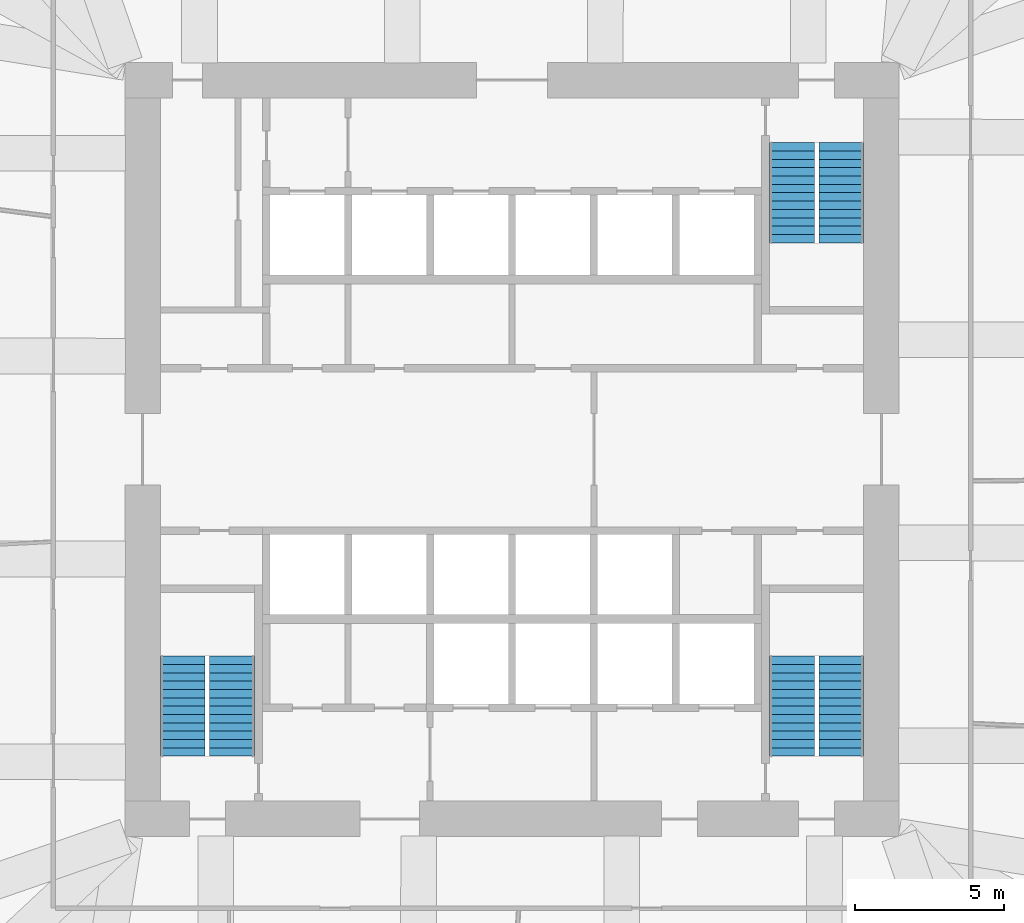
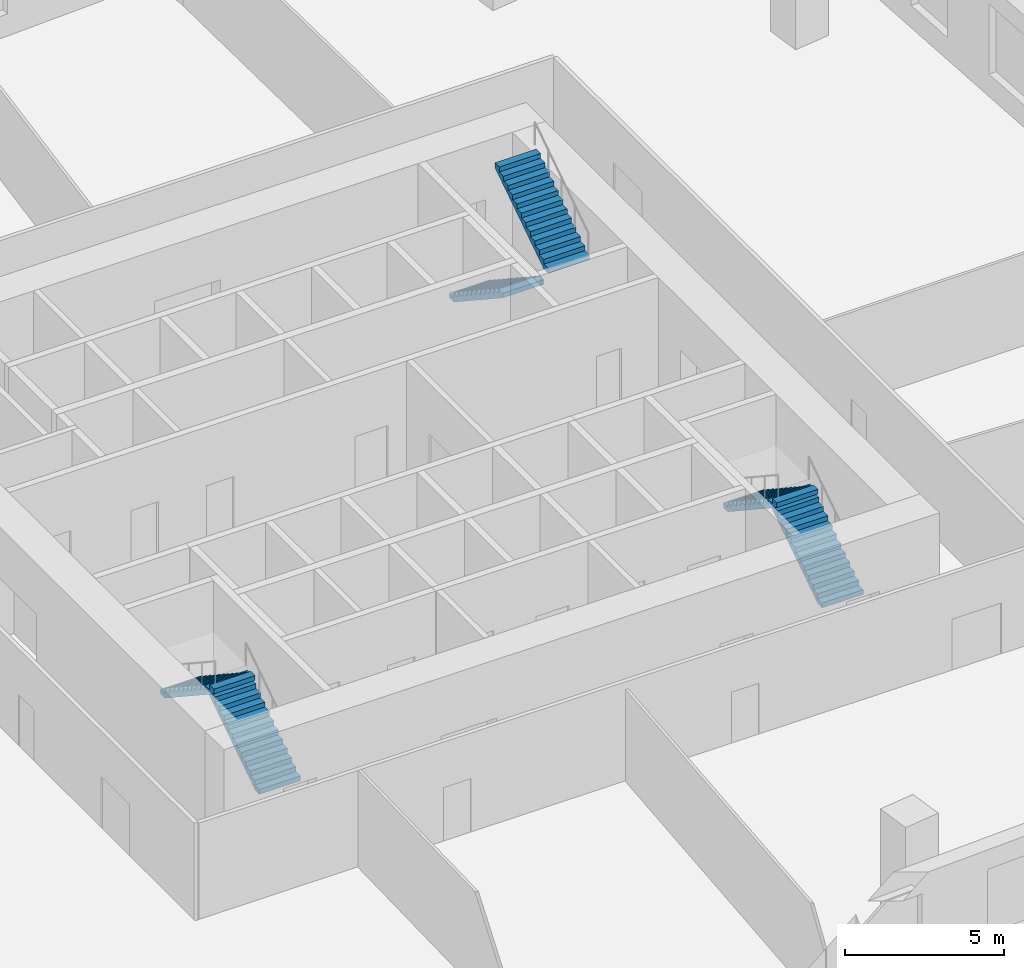
# One storey, part 8 of 10: 6 stair flights, 3 elements without a shape of their own.
"""IFC4 building model written with IfcOpenShell, lengths in metres."""

from ifc_helpers import new_model, si_unit, direction, frame, origin, place, context, subcontext, project, spatial, polyline, outline, extrude, material, type_object, element, aggregate, save


model = new_model("IFC4")

# Units and contexts
model_context = context("Model", 3, precision=1e-05, world=origin(), true_north=direction((0.0, 1.0)))
body_context = subcontext(model_context, "Body", "Model", "MODEL_VIEW")
ifc_project = project(units=[si_unit("LENGTHUNIT", "METRE"), si_unit("AREAUNIT", "SQUARE_METRE"), si_unit("VOLUMEUNIT", "CUBIC_METRE"), si_unit("PLANEANGLEUNIT", "RADIAN"), si_unit("MASSUNIT", "GRAM", prefix="KILO")], contexts=[model_context])

# Site, building, storey
site_placement = place(None, origin())
site = spatial("IfcSite", under=ifc_project, at=site_placement, CompositionType="ELEMENT")
building_placement = place(site_placement, origin())
building = spatial("IfcBuilding", under=site, at=building_placement, Name="Dilmun Exchange Tower", CompositionType="ELEMENT")
storey_placement = place(building_placement, frame((0.0, 0.0, 32.10009765625)))
storey = spatial("IfcBuildingStorey", under=building, at=storey_placement, Name="L07", CompositionType="ELEMENT", Elevation=32.10009765625)

# Stair, stair flights
ifc_material = material(Name="Concrete C40/50", Category="concrete")
stair_type = type_object("IfcStairType", Name="Exit stair 1500 half-turn", PredefinedType="HALF_TURN_STAIR", material=ifc_material)
stair_1_placement = place(storey_placement, origin())
stair_1 = element("IfcStair", 1, at=stair_1_placement, inside=storey, type_object=stair_type, Name="L07 Protected exit stair ST1", PredefinedType="HALF_TURN_STAIR")
stair_flight_type = type_object("IfcStairFlightType", Name="Exit stair flight 1500", PredefinedType="STRAIGHT", material=ifc_material)
stair_flight_1_placement = place(storey_placement, frame((9.39990234375, 10.300048828125, 0.0), z_axis=(0.0, 0.0, 1.0), x_axis=(0.0, -1.0, 0.0)))
stair_flight_1 = element("IfcStairFlight", 2, at=stair_flight_1_placement, type_object=stair_flight_type, Name="ST1 flight 1", NumberOfRisers=13, NumberOfTreads=12, PredefinedType="STRAIGHT", RiserHeight=0.184615385, TreadLength=0.28, context=body_context, shape_type="SweptSolid", body=[
    extrude(outline(polyline([(0.0, 0.0), (0.0, 0.1845703125), (0.280029296875, 0.1845703125), (0.280029296875, 0.369140625), (0.56005859375, 0.369140625), (0.56005859375, 0.553955078125), (0.840087890625, 0.553955078125), (0.840087890625, 0.738525390625), (1.1201171875, 0.738525390625), (1.1201171875, 0.923095703125), (1.39990234375, 0.923095703125), (1.39990234375, 1.107666015625), (1.679931640625, 1.107666015625), (1.679931640625, 1.292236328125), (1.9599609375, 1.292236328125), (1.9599609375, 1.476806640625), (2.239990234375, 1.476806640625), (2.239990234375, 1.66162109375), (2.52001953125, 1.66162109375), (2.52001953125, 1.84619140625), (2.800048828125, 1.84619140625), (2.800048828125, 2.03076171875), (3.080078125, 2.03076171875), (3.080078125, 2.21533203125), (3.360107421875, 2.21533203125), (3.360107421875, 2.39990234375), (3.360107421875, 2.035888671875), (0.272216796875, 0.0), (0.0, 0.0)])), frame((0.0, 0.75, 0.0), z_axis=(0.0, -1.0, 0.0), x_axis=(1.0, 0.0, 0.0)), (0.0, 0.0, 1.0), 1.5),
])
stair_flight_2_placement = place(storey_placement, frame((11.050048828125, 6.93994140625, 2.39990234375), z_axis=(0.0, 0.0, 1.0), x_axis=(0.0, 1.0, 0.0)))
stair_flight_2 = element("IfcStairFlight", 3, at=stair_flight_2_placement, type_object=stair_flight_type, Name="ST1 flight 2", NumberOfRisers=13, NumberOfTreads=12, PredefinedType="STRAIGHT", RiserHeight=0.184615385, TreadLength=0.28, context=body_context, shape_type="SweptSolid", body=[
    extrude(outline(polyline([(0.0, 0.0), (0.0, 0.1845703125), (0.280029296875, 0.1845703125), (0.280029296875, 0.369140625), (0.56005859375, 0.369140625), (0.56005859375, 0.553955078125), (0.840087890625, 0.553955078125), (0.840087890625, 0.738525390625), (1.1201171875, 0.738525390625), (1.1201171875, 0.923095703125), (1.39990234375, 0.923095703125), (1.39990234375, 1.107666015625), (1.679931640625, 1.107666015625), (1.679931640625, 1.292236328125), (1.9599609375, 1.292236328125), (1.9599609375, 1.476806640625), (2.239990234375, 1.476806640625), (2.239990234375, 1.66162109375), (2.52001953125, 1.66162109375), (2.52001953125, 1.84619140625), (2.800048828125, 1.84619140625), (2.800048828125, 2.03076171875), (3.080078125, 2.03076171875), (3.080078125, 2.21533203125), (3.360107421875, 2.21533203125), (3.360107421875, 2.39990234375), (3.360107421875, 2.035888671875), (0.272216796875, 0.0), (0.0, 0.0)])), frame((0.0, 0.75, 0.0), z_axis=(0.0, -1.0, 0.0), x_axis=(1.0, 0.0, 0.0)), (0.0, 0.0, 1.0), 1.5),
])
aggregate(stair_1, [stair_flight_1, stair_flight_2])

stair_2_placement = place(storey_placement, origin())
stair_2 = element("IfcStair", 4, at=stair_2_placement, inside=storey, type_object=stair_type, Name="L07 Protected exit stair ST2", PredefinedType="HALF_TURN_STAIR")
stair_flight_3_placement = place(storey_placement, frame((-9.39990234375, -10.300048828125, 0.0), z_axis=(0.0, 0.0, 1.0), x_axis=(0.0, 1.0, 0.0)))
stair_flight_3 = element("IfcStairFlight", 5, at=stair_flight_3_placement, type_object=stair_flight_type, Name="ST2 flight 1", NumberOfRisers=13, NumberOfTreads=12, PredefinedType="STRAIGHT", RiserHeight=0.184615385, TreadLength=0.28, context=body_context, shape_type="SweptSolid", body=[
    extrude(outline(polyline([(0.0, 0.0), (0.0, 0.1845703125), (0.280029296875, 0.1845703125), (0.280029296875, 0.369140625), (0.56005859375, 0.369140625), (0.56005859375, 0.553955078125), (0.840087890625, 0.553955078125), (0.840087890625, 0.738525390625), (1.1201171875, 0.738525390625), (1.1201171875, 0.923095703125), (1.39990234375, 0.923095703125), (1.39990234375, 1.107666015625), (1.679931640625, 1.107666015625), (1.679931640625, 1.292236328125), (1.9599609375, 1.292236328125), (1.9599609375, 1.476806640625), (2.239990234375, 1.476806640625), (2.239990234375, 1.66162109375), (2.52001953125, 1.66162109375), (2.52001953125, 1.84619140625), (2.800048828125, 1.84619140625), (2.800048828125, 2.03076171875), (3.080078125, 2.03076171875), (3.080078125, 2.21533203125), (3.360107421875, 2.21533203125), (3.360107421875, 2.39990234375), (3.360107421875, 2.035888671875), (0.272216796875, 0.0), (0.0, 0.0)])), frame((0.0, 0.75, 0.0), z_axis=(0.0, -1.0, 0.0), x_axis=(1.0, 0.0, 0.0)), (0.0, 0.0, 1.0), 1.5),
])
stair_flight_4_placement = place(storey_placement, frame((-11.050048828125, -6.93994140625, 2.39990234375), z_axis=(0.0, 0.0, 1.0), x_axis=(0.0, -1.0, 0.0)))
stair_flight_4 = element("IfcStairFlight", 6, at=stair_flight_4_placement, type_object=stair_flight_type, Name="ST2 flight 2", NumberOfRisers=13, NumberOfTreads=12, PredefinedType="STRAIGHT", RiserHeight=0.184615385, TreadLength=0.28, context=body_context, shape_type="SweptSolid", body=[
    extrude(outline(polyline([(0.0, 0.0), (0.0, 0.1845703125), (0.280029296875, 0.1845703125), (0.280029296875, 0.369140625), (0.56005859375, 0.369140625), (0.56005859375, 0.553955078125), (0.840087890625, 0.553955078125), (0.840087890625, 0.738525390625), (1.1201171875, 0.738525390625), (1.1201171875, 0.923095703125), (1.39990234375, 0.923095703125), (1.39990234375, 1.107666015625), (1.679931640625, 1.107666015625), (1.679931640625, 1.292236328125), (1.9599609375, 1.292236328125), (1.9599609375, 1.476806640625), (2.239990234375, 1.476806640625), (2.239990234375, 1.66162109375), (2.52001953125, 1.66162109375), (2.52001953125, 1.84619140625), (2.800048828125, 1.84619140625), (2.800048828125, 2.03076171875), (3.080078125, 2.03076171875), (3.080078125, 2.21533203125), (3.360107421875, 2.21533203125), (3.360107421875, 2.39990234375), (3.360107421875, 2.035888671875), (0.272216796875, 0.0), (0.0, 0.0)])), frame((0.0, 0.75, 0.0), z_axis=(0.0, -1.0, 0.0), x_axis=(1.0, 0.0, 0.0)), (0.0, 0.0, 1.0), 1.5),
])
aggregate(stair_2, [stair_flight_3, stair_flight_4])

stair_3_placement = place(storey_placement, origin())
stair_3 = element("IfcStair", 7, at=stair_3_placement, inside=storey, type_object=stair_type, Name="L07 Protected exit stair ST3", PredefinedType="HALF_TURN_STAIR")
stair_flight_5_placement = place(storey_placement, frame((11.050048828125, -10.300048828125, 0.0), z_axis=(0.0, 0.0, 1.0), x_axis=(0.0, 1.0, 0.0)))
stair_flight_5 = element("IfcStairFlight", 8, at=stair_flight_5_placement, type_object=stair_flight_type, Name="ST3 flight 1", NumberOfRisers=13, NumberOfTreads=12, PredefinedType="STRAIGHT", RiserHeight=0.184615385, TreadLength=0.28, context=body_context, shape_type="SweptSolid", body=[
    extrude(outline(polyline([(0.0, 0.0), (0.0, 0.1845703125), (0.280029296875, 0.1845703125), (0.280029296875, 0.369140625), (0.56005859375, 0.369140625), (0.56005859375, 0.553955078125), (0.840087890625, 0.553955078125), (0.840087890625, 0.738525390625), (1.1201171875, 0.738525390625), (1.1201171875, 0.923095703125), (1.39990234375, 0.923095703125), (1.39990234375, 1.107666015625), (1.679931640625, 1.107666015625), (1.679931640625, 1.292236328125), (1.9599609375, 1.292236328125), (1.9599609375, 1.476806640625), (2.239990234375, 1.476806640625), (2.239990234375, 1.66162109375), (2.52001953125, 1.66162109375), (2.52001953125, 1.84619140625), (2.800048828125, 1.84619140625), (2.800048828125, 2.03076171875), (3.080078125, 2.03076171875), (3.080078125, 2.21533203125), (3.360107421875, 2.21533203125), (3.360107421875, 2.39990234375), (3.360107421875, 2.035888671875), (0.272216796875, 0.0), (0.0, 0.0)])), frame((0.0, 0.75, 0.0), z_axis=(0.0, -1.0, 0.0), x_axis=(1.0, 0.0, 0.0)), (0.0, 0.0, 1.0), 1.5),
])
stair_flight_6_placement = place(storey_placement, frame((9.39990234375, -6.93994140625, 2.39990234375), z_axis=(0.0, 0.0, 1.0), x_axis=(0.0, -1.0, 0.0)))
stair_flight_6 = element("IfcStairFlight", 9, at=stair_flight_6_placement, type_object=stair_flight_type, Name="ST3 flight 2", NumberOfRisers=13, NumberOfTreads=12, PredefinedType="STRAIGHT", RiserHeight=0.184615385, TreadLength=0.28, context=body_context, shape_type="SweptSolid", body=[
    extrude(outline(polyline([(0.0, 0.0), (0.0, 0.1845703125), (0.280029296875, 0.1845703125), (0.280029296875, 0.369140625), (0.56005859375, 0.369140625), (0.56005859375, 0.553955078125), (0.840087890625, 0.553955078125), (0.840087890625, 0.738525390625), (1.1201171875, 0.738525390625), (1.1201171875, 0.923095703125), (1.39990234375, 0.923095703125), (1.39990234375, 1.107666015625), (1.679931640625, 1.107666015625), (1.679931640625, 1.292236328125), (1.9599609375, 1.292236328125), (1.9599609375, 1.476806640625), (2.239990234375, 1.476806640625), (2.239990234375, 1.66162109375), (2.52001953125, 1.66162109375), (2.52001953125, 1.84619140625), (2.800048828125, 1.84619140625), (2.800048828125, 2.03076171875), (3.080078125, 2.03076171875), (3.080078125, 2.21533203125), (3.360107421875, 2.21533203125), (3.360107421875, 2.39990234375), (3.360107421875, 2.035888671875), (0.272216796875, 0.0), (0.0, 0.0)])), frame((0.0, 0.75, 0.0), z_axis=(0.0, -1.0, 0.0), x_axis=(1.0, 0.0, 0.0)), (0.0, 0.0, 1.0), 1.5),
])
aggregate(stair_3, [stair_flight_5, stair_flight_6])

save(model, "model.ifc")
